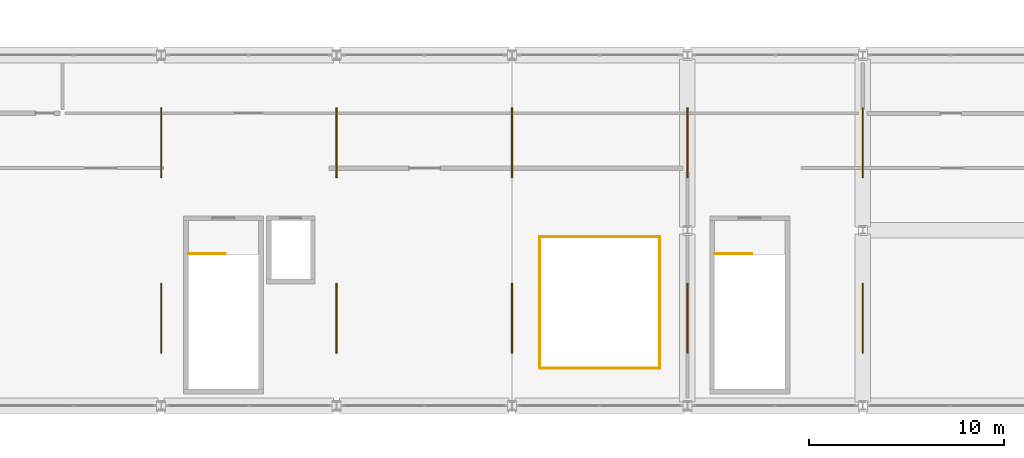
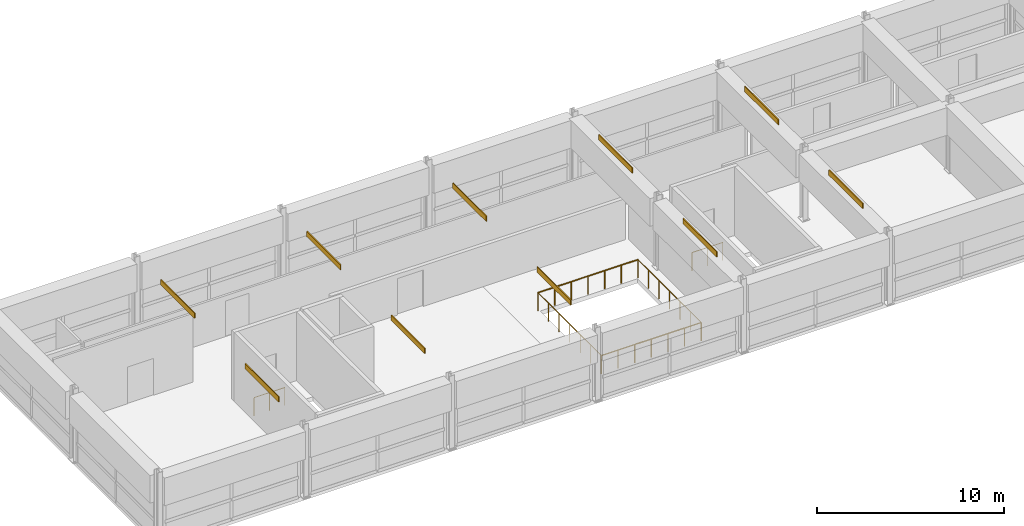
# One storey, part 56 of 56: 10 shading devices, 6 railings.
"""IFC4 building model written with IfcOpenShell, lengths in metres."""

from ifc_helpers import new_model, si_unit, direction, frame, origin, origin_2d, place, context, subcontext, project, spatial, rectangle, circle, extrude, material, type_object, element, save


model = new_model("IFC4")

# Units and contexts
model_context = context("Model", 3, precision=1e-05, world=origin(), true_north=direction((0.0, 1.0)))
body_context = subcontext(model_context, "Body", "Model", "MODEL_VIEW")
ifc_project = project(units=[si_unit("LENGTHUNIT", "METRE"), si_unit("AREAUNIT", "SQUARE_METRE"), si_unit("VOLUMEUNIT", "CUBIC_METRE"), si_unit("PLANEANGLEUNIT", "RADIAN"), si_unit("MASSUNIT", "GRAM", prefix="KILO")], contexts=[model_context])

# Site, building, storey
site_placement = place(None, origin())
site = spatial("IfcSite", under=ifc_project, at=site_placement, CompositionType="ELEMENT")
building_placement = place(site_placement, origin())
building = spatial("IfcBuilding", under=site, at=building_placement, Name="Bozkorgan Art Gallery", CompositionType="ELEMENT")
storey_placement = place(building_placement, frame((0.0, 0.0, 24.0)))
storey = spatial("IfcBuildingStorey", under=building, at=storey_placement, Name="L05", CompositionType="ELEMENT", Elevation=24.0)

# Railings
ifc_material_1 = material(Name="Steel S355J2", Category="steel")
railing_type_1 = type_object("IfcRailingType", Name="RAIL-BAL-INT", PredefinedType="BALUSTRADE", material=ifc_material_1)
railing_1_placement = place(storey_placement, frame((30.419921875, 3.919921875, 0.0)))
element("IfcRailing", 1, at=railing_1_placement, inside=storey, type_object=railing_type_1, Name="V1 L05 clerestory_lightwell guard S", PredefinedType="BALUSTRADE", context=body_context, shape_type="SweptSolid", body=[
    extrude(circle(Radius=0.02392578125, at=origin_2d()), frame((0.0, 0.0, 1.17578125), z_axis=(1.0, 0.0, 0.0), x_axis=(0.0, 1.0, 0.0)), (0.0, 0.0, 1.0), 6.16015625),
    extrude(circle(Radius=0.02099609375, at=origin_2d()), origin(), (0.0, 0.0, 1.0), 1.15185546875),
    extrude(circle(Radius=0.02099609375, at=origin_2d()), frame((1.026611328125, 0.0, 0.0)), (0.0, 0.0, 1.0), 1.15185546875),
    extrude(circle(Radius=0.02099609375, at=origin_2d()), frame((2.053466796875, 0.0, 0.0)), (0.0, 0.0, 1.0), 1.15185546875),
    extrude(circle(Radius=0.02099609375, at=origin_2d()), frame((3.080078125, 0.0, 0.0)), (0.0, 0.0, 1.0), 1.15185546875),
    extrude(circle(Radius=0.02099609375, at=origin_2d()), frame((4.106689453125, 0.0, 0.0)), (0.0, 0.0, 1.0), 1.15185546875),
    extrude(circle(Radius=0.02099609375, at=origin_2d()), frame((5.133544921875, 0.0, 0.0)), (0.0, 0.0, 1.0), 1.15185546875),
    extrude(circle(Radius=0.02099609375, at=origin_2d()), frame((6.16015625, 0.0, 0.0)), (0.0, 0.0, 1.0), 1.15185546875),
])
for number, where, name in (
    (2, (30.419921875, 3.919921875, 0.0), "V1 L05 clerestory_lightwell guard W"),
    (3, (36.580078125, 3.919921875, 0.0), "V1 L05 clerestory_lightwell guard E"),
):
    element("IfcRailing", number, at=place(storey_placement, frame(where)), inside=storey, type_object=railing_type_1, Name=name, PredefinedType="BALUSTRADE", context=body_context, shape_type="SweptSolid", body=[
        extrude(circle(Radius=0.02392578125, at=origin_2d()), frame((0.0, 0.0, 1.17578125), z_axis=(0.0, 1.0, 0.0), x_axis=(-1.0, 0.0, 0.0)), (0.0, 0.0, 1.0), 6.760009765625),
        extrude(circle(Radius=0.02099609375, at=origin_2d()), origin(), (0.0, 0.0, 1.0), 1.15185546875),
        extrude(circle(Radius=0.02099609375, at=origin_2d()), frame((0.0, 1.126708984375, 0.0)), (0.0, 0.0, 1.0), 1.15185546875),
        extrude(circle(Radius=0.02099609375, at=origin_2d()), frame((0.0, 2.25341796875, 0.0)), (0.0, 0.0, 1.0), 1.15185546875),
        extrude(circle(Radius=0.02099609375, at=origin_2d()), frame((0.0, 3.3798828125, 0.0)), (0.0, 0.0, 1.0), 1.15185546875),
        extrude(circle(Radius=0.02099609375, at=origin_2d()), frame((0.0, 4.506591796875, 0.0)), (0.0, 0.0, 1.0), 1.15185546875),
        extrude(circle(Radius=0.02099609375, at=origin_2d()), frame((0.0, 5.63330078125, 0.0)), (0.0, 0.0, 1.0), 1.15185546875),
        extrude(circle(Radius=0.02099609375, at=origin_2d()), frame((0.0, 6.760009765625, 0.0)), (0.0, 0.0, 1.0), 1.15185546875),
    ])
railing_2_placement = place(storey_placement, frame((30.419921875, 10.679931640625, 0.0)))
element("IfcRailing", 4, at=railing_2_placement, inside=storey, type_object=railing_type_1, Name="V1 L05 clerestory_lightwell guard N1", PredefinedType="BALUSTRADE", context=body_context, shape_type="SweptSolid", body=[
    extrude(circle(Radius=0.02392578125, at=origin_2d()), frame((0.0, 0.0, 1.17578125), z_axis=(1.0, 0.0, 0.0), x_axis=(0.0, 1.0, 0.0)), (0.0, 0.0, 1.0), 6.16015625),
    extrude(circle(Radius=0.02099609375, at=origin_2d()), origin(), (0.0, 0.0, 1.0), 1.15185546875),
    extrude(circle(Radius=0.02099609375, at=origin_2d()), frame((1.026611328125, 0.0, 0.0)), (0.0, 0.0, 1.0), 1.15185546875),
    extrude(circle(Radius=0.02099609375, at=origin_2d()), frame((2.053466796875, 0.0, 0.0)), (0.0, 0.0, 1.0), 1.15185546875),
    extrude(circle(Radius=0.02099609375, at=origin_2d()), frame((3.080078125, 0.0, 0.0)), (0.0, 0.0, 1.0), 1.15185546875),
    extrude(circle(Radius=0.02099609375, at=origin_2d()), frame((4.106689453125, 0.0, 0.0)), (0.0, 0.0, 1.0), 1.15185546875),
    extrude(circle(Radius=0.02099609375, at=origin_2d()), frame((5.133544921875, 0.0, 0.0)), (0.0, 0.0, 1.0), 1.15185546875),
    extrude(circle(Radius=0.02099609375, at=origin_2d()), frame((6.16015625, 0.0, 0.0)), (0.0, 0.0, 1.0), 1.15185546875),
])
railing_type_2 = type_object("IfcRailingType", Name="RAIL-GRD-115", PredefinedType="GUARDRAIL", material=ifc_material_1)
for number, where, name in (
    (5, (12.39990234375, 9.800048828125, 0.0), "L05 ST1 top well guard 1"),
    (6, (39.39990234375, 9.800048828125, 0.0), "L05 ST12 top well guard 1"),
):
    element("IfcRailing", number, at=place(storey_placement, frame(where)), inside=storey, type_object=railing_type_2, Name=name, PredefinedType="GUARDRAIL", context=body_context, shape_type="SweptSolid", body=[
        extrude(circle(Radius=0.02392578125, at=origin_2d()), frame((0.0, 0.0, 1.17578125), z_axis=(1.0, 0.0, 0.0), x_axis=(0.0, 1.0, 0.0)), (0.0, 0.0, 1.0), 1.900146484375),
        extrude(circle(Radius=0.02099609375, at=origin_2d()), origin(), (0.0, 0.0, 1.0), 1.15185546875),
        extrude(circle(Radius=0.02099609375, at=origin_2d()), frame((0.9501953125, 0.0, 0.0)), (0.0, 0.0, 1.0), 1.15185546875),
        extrude(circle(Radius=0.02099609375, at=origin_2d()), frame((1.900146484375, 0.0, 0.0)), (0.0, 0.0, 1.0), 1.15185546875),
    ])

# Shading devices
ifc_material_2 = material(Name="Anodised Bronze Aluminium", Category="aluminium")
shading_device_type = type_object("IfcShadingDeviceType", Name="SHD-JAL-01", PredefinedType="JALOUSIE", material=ifc_material_2)
for number, where, z_axis, x_axis, name in (
    (7, (11.0, 6.5, 4.47998046875), (0.0, 0.0, 1.0), (1.0, 0.0, 0.0), "L05 Top-Lit Gallery daylight louver baffle 1"),
    (8, (20.0, 6.5, 4.47998046875), (0.0, 0.0, 1.0), (1.0, 0.0, 0.0), "L05 Top-Lit Gallery daylight louver baffle 2"),
    (9, (29.0, 6.5, 4.47998046875), (0.0, 0.0, 1.0), (1.0, 0.0, 0.0), "L05 Top-Lit Gallery daylight louver baffle 3"),
    (10, (38.0, 6.5, 4.47998046875), (0.0, 0.0, 1.0), (1.0, 0.0, 0.0), "L05 Top-Lit Gallery daylight louver baffle 4"),
    (11, (47.0, 6.5, 4.47998046875), (0.0, 0.0, 1.0), (1.0, 0.0, 0.0), "L05 Top-Lit Gallery daylight louver baffle 5"),
    (12, (11.0, 15.5, 4.47998046875), (0.0, 0.0, 1.0), (1.0, 0.0, 0.0), "L05 Top-Lit Gallery daylight louver baffle 6"),
    (13, (20.0, 15.5, 4.47998046875), (0.0, 0.0, 1.0), (1.0, 0.0, 0.0), "L05 Top-Lit Gallery daylight louver baffle 7"),
    (14, (29.0, 15.5, 4.47998046875), (0.0, 0.0, 1.0), (1.0, 0.0, 0.0), "L05 Top-Lit Gallery daylight louver baffle 8"),
    (15, (38.0, 15.5, 4.47998046875), (0.0, 0.0, 1.0), (1.0, 0.0, 0.0), "L05 Top-Lit Gallery daylight louver baffle 9"),
    (16, (47.0, 15.5, 4.47998046875), (0.0, 0.0, 1.0), (1.0, 0.0, 0.0), "L05 Top-Lit Gallery daylight louver baffle 10"),
):
    element("IfcShadingDevice", number, at=place(storey_placement, frame(where, z_axis=z_axis, x_axis=x_axis)), inside=storey, type_object=shading_device_type, Name=name, PredefinedType="JALOUSIE", context=body_context, shape_type="SweptSolid", body=[
        extrude(rectangle(XDim=0.06005859375, YDim=3.60009765625, at=origin_2d()), origin(), (0.0, 0.0, 1.0), 0.340087890625),
    ])

save(model, "model.ifc")
